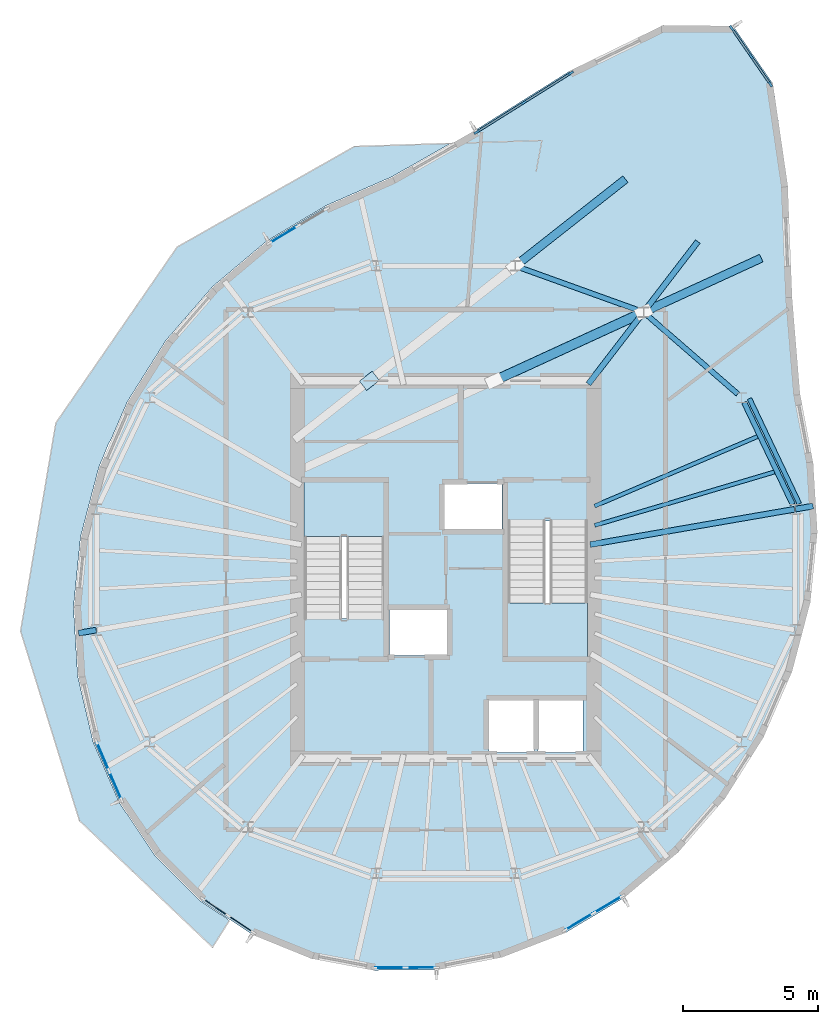
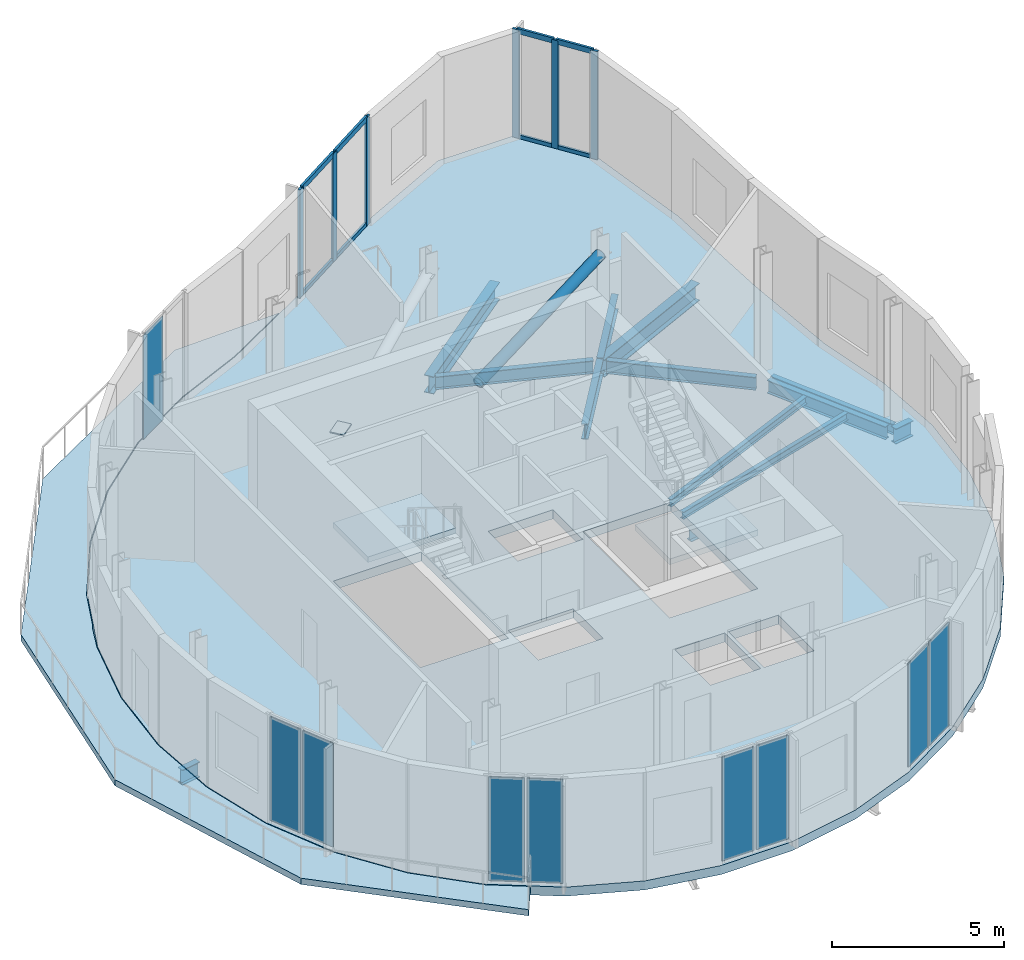
# One storey, part 3 of 8: 15 members, 13 beams, 10 plates, 4 slabs, 9 elements without a shape of their own.
"""IFC4 building model written with IfcOpenShell, lengths in metres."""

from ifc_helpers import new_model, si_unit, direction, frame, origin, origin_2d, place, context, subcontext, project, spatial, polyline, rectangle, hollow_circle, i_section, outline, extrude, material, layer, layer_set, material_profile, profile_set, type_object, element, aggregate, save


model = new_model("IFC4")

# Units and contexts
model_context = context("Model", 3, precision=1e-05, world=origin(), true_north=direction((0.0, 1.0)))
body_context = subcontext(model_context, "Body", "Model", "MODEL_VIEW")
ifc_project = project(units=[si_unit("LENGTHUNIT", "METRE"), si_unit("AREAUNIT", "SQUARE_METRE"), si_unit("VOLUMEUNIT", "CUBIC_METRE"), si_unit("PLANEANGLEUNIT", "RADIAN"), si_unit("MASSUNIT", "GRAM", prefix="KILO")], contexts=[model_context])

# Site, building, storey
site_placement = place(None, origin())
site = spatial("IfcSite", under=ifc_project, at=site_placement, CompositionType="ELEMENT")
building_placement = place(site_placement, origin())
building = spatial("IfcBuilding", under=site, at=building_placement, Name="Veldorim Arch Residences", CompositionType="ELEMENT")
storey_placement = place(building_placement, frame((0.0, 0.0, 246.8798828125)))
storey = spatial("IfcBuildingStorey", under=building, at=storey_placement, Name="L74", CompositionType="ELEMENT", Elevation=246.8798828125)

# Member
ifc_material_1 = material(Name="Steel S460", Category="steel")
ifc_material_profile_1 = material_profile(ifc_material_1, hollow_circle(Radius=0.177734375, WallThickness=0.02490234375, at=origin_2d()), Name="CHS355.6x25")
ifc_profile_set_1 = profile_set([ifc_material_profile_1], Name="Steel S460")
member_type_1 = type_object("IfcMemberType", Name="Crown Diagrid CHS355.6x25", PredefinedType="STRUT", material=ifc_profile_set_1)
member_1_placement = place(storey_placement, frame((33.79248046875, 31.0, 2.300048828125), z_axis=(0.895277609128, 0.411269137856, 0.171276673371), x_axis=(-0.417437626064, 0.908705578472, 0.0)))
element("IfcMember", 1, at=member_1_placement, inside=storey, type_object=member_type_1, Name="Observation prow truss 1 back-span brace L74", PredefinedType="STRUT", context=body_context, shape_type="SweptSolid", body=[
    extrude(hollow_circle(Radius=0.177734375, WallThickness=0.02490234375, at=origin_2d()), origin(), (0.0, 0.0, 1.0), 6.189208984375),
])

# Curtain wall, members
ifc_material_2 = material(Name="Aluminium", Category="aluminium")
curtain_wall_type = type_object("IfcCurtainWallType", Name="Sky Lounge & Conservatory Tall Curtain Wall", PredefinedType="NOTDEFINED", material=ifc_material_2)
curtain_wall_1_placement = place(storey_placement, origin())
curtain_wall_1 = element("IfcCurtainWall", 2, at=curtain_wall_1_placement, inside=storey, type_object=curtain_wall_type, Name="L74 unitised curtain wall bay 03", PredefinedType="NOTDEFINED")
ifc_material_3 = material(Name="Aluminium", Category="aluminium")
ifc_material_profile_2 = material_profile(ifc_material_3, rectangle(XDim=0.080078125, YDim=0.219970703125, at=origin_2d()), Name="ALU_MUL_80x220")
ifc_profile_set_2 = profile_set([ifc_material_profile_2], Name="Aluminium")
member_type_2 = type_object("IfcMemberType", Name="Sky Lounge & Conservatory Tall Curtain Wall Mullion 80x220", PredefinedType="MULLION", material=ifc_profile_set_2)
member_2_placement = place(storey_placement, frame((33.144775390625, 40.218994140625, 0.0), z_axis=(0.0, 0.0, 1.0), x_axis=(-0.531192855257, 0.847250937163, 0.0)))
member_2 = element("IfcMember", 3, at=member_2_placement, type_object=member_type_2, Name="CW-SKY mullion 1", PredefinedType="MULLION", context=body_context, shape_type="SweptSolid", body=[
    extrude(rectangle(XDim=0.080078125, YDim=0.219970703125, at=origin_2d()), origin(), (0.0, 0.0, 1.0), 3.840087890625),
])
member_3_placement = place(storey_placement, frame((34.889892578125, 41.31298828125, 0.0), z_axis=(0.0, 0.0, 1.0), x_axis=(-0.531192855257, 0.847250937163, 0.0)))
member_3 = element("IfcMember", 4, at=member_3_placement, type_object=member_type_2, Name="CW-SKY mullion 2", PredefinedType="MULLION", context=body_context, shape_type="SweptSolid", body=[
    extrude(rectangle(XDim=0.080078125, YDim=0.219970703125, at=origin_2d()), origin(), (0.0, 0.0, 1.0), 3.840087890625),
])
member_4_placement = place(storey_placement, frame((36.634765625, 42.4072265625, 0.0), z_axis=(0.0, 0.0, 1.0), x_axis=(-0.531192855257, 0.847250937163, 0.0)))
member_4 = element("IfcMember", 5, at=member_4_placement, type_object=member_type_2, Name="CW-SKY mullion 3", PredefinedType="MULLION", context=body_context, shape_type="SweptSolid", body=[
    extrude(rectangle(XDim=0.080078125, YDim=0.219970703125, at=origin_2d()), origin(), (0.0, 0.0, 1.0), 3.840087890625),
])

curtain_wall_2_placement = place(storey_placement, origin())
curtain_wall_2 = element("IfcCurtainWall", 6, at=curtain_wall_2_placement, inside=storey, type_object=curtain_wall_type, Name="L74 unitised curtain wall bay 36", PredefinedType="NOTDEFINED")
member_5_placement = place(storey_placement, frame((42.59619140625, 44.076904296875, 0.0), z_axis=(0.0, 0.0, 1.0), x_axis=(0.823312206967, 0.567588768264, 0.0)))
member_5 = element("IfcMember", 7, at=member_5_placement, type_object=member_type_2, Name="CW-SKY mullion 1", PredefinedType="MULLION", context=body_context, shape_type="SweptSolid", body=[
    extrude(rectangle(XDim=0.080078125, YDim=0.219970703125, at=origin_2d()), origin(), (0.0, 0.0, 1.0), 3.840087890625),
])
member_6_placement = place(storey_placement, frame((43.314208984375, 43.03564453125, 0.0), z_axis=(0.0, 0.0, 1.0), x_axis=(0.823312206967, 0.567588768264, 0.0)))
member_6 = element("IfcMember", 8, at=member_6_placement, type_object=member_type_2, Name="CW-SKY mullion 2", PredefinedType="MULLION", context=body_context, shape_type="SweptSolid", body=[
    extrude(rectangle(XDim=0.080078125, YDim=0.219970703125, at=origin_2d()), origin(), (0.0, 0.0, 1.0), 3.840087890625),
])
member_7_placement = place(storey_placement, frame((44.031982421875, 41.994384765625, 0.0), z_axis=(0.0, 0.0, 1.0), x_axis=(0.823312206967, 0.567588768264, 0.0)))
member_7 = element("IfcMember", 9, at=member_7_placement, type_object=member_type_2, Name="CW-SKY mullion 3", PredefinedType="MULLION", context=body_context, shape_type="SweptSolid", body=[
    extrude(rectangle(XDim=0.080078125, YDim=0.219970703125, at=origin_2d()), origin(), (0.0, 0.0, 1.0), 3.840087890625),
])

# Member
ifc_material_4 = material(Name="Aluminium", Category="aluminium")
ifc_material_profile_3 = material_profile(ifc_material_4, rectangle(XDim=0.080078125, YDim=0.18505859375, at=origin_2d()), Name="ALU_TRN_80x185")
ifc_profile_set_3 = profile_set([ifc_material_profile_3], Name="Aluminium")
member_type_3 = type_object("IfcMemberType", Name="Sky Lounge & Conservatory Tall Curtain Wall Transom 80x185", PredefinedType="USERDEFINED", material=ifc_profile_set_3)
member_8_placement = place(storey_placement, frame((33.1787109375, 40.240234375, 0.0400390625), z_axis=(0.847263064932, 0.531173511013, 0.0), x_axis=(-0.531173511013, 0.847263064932, 0.0)))
member_8 = element("IfcMember", 10, at=member_8_placement, type_object=member_type_3, Name="CW-SKY transom 1.1", ObjectType="TRANSOM", PredefinedType="USERDEFINED", context=body_context, shape_type="SweptSolid", body=[
    extrude(rectangle(XDim=0.080078125, YDim=0.18505859375, at=origin_2d()), origin(), (0.0, 0.0, 1.0), 1.9794921875),
])

member_9_placement = place(storey_placement, frame((33.1787109375, 40.240234375, 3.800048828125), z_axis=(0.847263064932, 0.531173511013, 0.0), x_axis=(-0.531173511013, 0.847263064932, 0.0)))
member_9 = element("IfcMember", 11, at=member_9_placement, type_object=member_type_3, Name="CW-SKY transom 1.2", ObjectType="TRANSOM", PredefinedType="USERDEFINED", context=body_context, shape_type="SweptSolid", body=[
    extrude(rectangle(XDim=0.080078125, YDim=0.18505859375, at=origin_2d()), origin(), (0.0, 0.0, 1.0), 1.9794921875),
])

member_10_placement = place(storey_placement, frame((34.923583984375, 41.334228515625, 0.0400390625), z_axis=(0.847207560973, 0.531262033868, 0.0), x_axis=(-0.531262033868, 0.847207560973, 0.0)))
member_10 = element("IfcMember", 12, at=member_10_placement, type_object=member_type_3, Name="CW-SKY transom 2.1", ObjectType="TRANSOM", PredefinedType="USERDEFINED", context=body_context, shape_type="SweptSolid", body=[
    extrude(rectangle(XDim=0.080078125, YDim=0.18505859375, at=origin_2d()), origin(), (0.0, 0.0, 1.0), 1.979736328125),
])

member_11_placement = place(storey_placement, frame((34.923583984375, 41.334228515625, 3.800048828125), z_axis=(0.847207560973, 0.531262033868, 0.0), x_axis=(-0.531262033868, 0.847207560973, 0.0)))
member_11 = element("IfcMember", 13, at=member_11_placement, type_object=member_type_3, Name="CW-SKY transom 2.2", ObjectType="TRANSOM", PredefinedType="USERDEFINED", context=body_context, shape_type="SweptSolid", body=[
    extrude(rectangle(XDim=0.080078125, YDim=0.18505859375, at=origin_2d()), origin(), (0.0, 0.0, 1.0), 1.979736328125),
])

aggregate(curtain_wall_1, [member_2, member_3, member_4, member_8, member_9, member_10, member_11])

member_12_placement = place(storey_placement, frame((42.618896484375, 44.0439453125, 0.0400390625), z_axis=(0.567708878676, -0.823229390312, 0.0), x_axis=(0.823229390312, 0.567708878676, 0.0)))
member_12 = element("IfcMember", 14, at=member_12_placement, type_object=member_type_3, Name="CW-SKY transom 1.1", ObjectType="TRANSOM", PredefinedType="USERDEFINED", context=body_context, shape_type="SweptSolid", body=[
    extrude(rectangle(XDim=0.080078125, YDim=0.18505859375, at=origin_2d()), origin(), (0.0, 0.0, 1.0), 1.184814453125),
])

member_13_placement = place(storey_placement, frame((42.618896484375, 44.0439453125, 3.800048828125), z_axis=(0.567708878676, -0.823229390312, 0.0), x_axis=(0.823229390312, 0.567708878676, 0.0)))
member_13 = element("IfcMember", 15, at=member_13_placement, type_object=member_type_3, Name="CW-SKY transom 1.2", ObjectType="TRANSOM", PredefinedType="USERDEFINED", context=body_context, shape_type="SweptSolid", body=[
    extrude(rectangle(XDim=0.080078125, YDim=0.18505859375, at=origin_2d()), origin(), (0.0, 0.0, 1.0), 1.184814453125),
])

member_14_placement = place(storey_placement, frame((43.3369140625, 43.002685546875, 0.0400390625), z_axis=(0.5675692026, -0.823325695129, 0.0), x_axis=(0.823325695129, 0.5675692026, 0.0)))
member_14 = element("IfcMember", 16, at=member_14_placement, type_object=member_type_3, Name="CW-SKY transom 2.1", ObjectType="TRANSOM", PredefinedType="USERDEFINED", context=body_context, shape_type="SweptSolid", body=[
    extrude(rectangle(XDim=0.080078125, YDim=0.18505859375, at=origin_2d()), origin(), (0.0, 0.0, 1.0), 1.1845703125),
])

member_15_placement = place(storey_placement, frame((43.3369140625, 43.002685546875, 3.800048828125), z_axis=(0.5675692026, -0.823325695129, 0.0), x_axis=(0.823325695129, 0.5675692026, 0.0)))
member_15 = element("IfcMember", 17, at=member_15_placement, type_object=member_type_3, Name="CW-SKY transom 2.2", ObjectType="TRANSOM", PredefinedType="USERDEFINED", context=body_context, shape_type="SweptSolid", body=[
    extrude(rectangle(XDim=0.080078125, YDim=0.18505859375, at=origin_2d()), origin(), (0.0, 0.0, 1.0), 1.1845703125),
])

aggregate(curtain_wall_2, [member_5, member_6, member_7, member_12, member_13, member_14, member_15])

# Beams
ifc_material_5 = material(Name="Steel S355", Category="steel")
ifc_material_profile_4 = material_profile(ifc_material_5, i_section(OverallWidth=0.2119140625, OverallDepth=0.54443359375, WebThickness=0.0126953125, FlangeThickness=0.021240234375, at=origin_2d()), Name="UB533x210x122")
ifc_profile_set_4 = profile_set([ifc_material_profile_4], Name="Steel S355")
beam_type_1 = type_object("IfcBeamType", Name="Structural Steel Beam UB533x210x122", PredefinedType="BEAM", material=ifc_profile_set_4)
beam_1_placement = place(storey_placement, frame((37.352294921875, 24.92578125, -0.59228515625), z_axis=(0.985364974081, 0.170457818401, 0.0), x_axis=(-0.170457818401, 0.985364974081, 0.0)))
element("IfcBeam", 18, at=beam_1_placement, inside=storey, type_object=beam_type_1, Name="L74 radial floor girder 01", PredefinedType="BEAM", context=body_context, shape_type="SweptSolid", body=[
    extrude(i_section(OverallWidth=0.2119140625, OverallDepth=0.54443359375, WebThickness=0.0126953125, FlangeThickness=0.021240234375, at=origin_2d()), origin(), (0.0, 0.0, 1.0), 7.68701171875),
])
beam_2_placement = place(storey_placement, frame((44.966064453125, 26.242919921875, -0.59228515625), z_axis=(0.985338595383, 0.170610235476, 0.0), x_axis=(-0.170610235476, 0.985338595383, 0.0)))
element("IfcBeam", 19, at=beam_2_placement, inside=storey, type_object=beam_type_1, Name="L74 radial edge cantilever girder 01", PredefinedType="BEAM", context=body_context, shape_type="SweptSolid", body=[
    extrude(i_section(OverallWidth=0.2119140625, OverallDepth=0.54443359375, WebThickness=0.0126953125, FlangeThickness=0.021240234375, at=origin_2d()), origin(), (0.0, 0.0, 1.0), 0.66259765625),
])
beam_3_placement = place(storey_placement, frame((37.28662109375, 30.881103515625, -0.59228515625), z_axis=(0.609258442308, 0.792971721108, 0.0), x_axis=(-0.792971721108, 0.609258442308, 0.0)))
element("IfcBeam", 20, at=beam_3_placement, inside=storey, type_object=beam_type_1, Name="L74 radial floor girder 03", PredefinedType="BEAM", context=body_context, shape_type="SweptSolid", body=[
    extrude(i_section(OverallWidth=0.2119140625, OverallDepth=0.54443359375, WebThickness=0.0126953125, FlangeThickness=0.021240234375, at=origin_2d()), origin(), (0.0, 0.0, 1.0), 3.339599609375),
])
beam_4_placement = place(storey_placement, frame((39.345703125, 33.561279296875, -0.59228515625), z_axis=(0.609261001157, 0.792969755079, 0.0), x_axis=(-0.792969755079, 0.609261001157, 0.0)))
element("IfcBeam", 21, at=beam_4_placement, inside=storey, type_object=beam_type_1, Name="L74 radial edge cantilever girder 03", PredefinedType="BEAM", context=body_context, shape_type="SweptSolid", body=[
    extrude(i_section(OverallWidth=0.2119140625, OverallDepth=0.54443359375, WebThickness=0.0126953125, FlangeThickness=0.021240234375, at=origin_2d()), origin(), (0.0, 0.0, 1.0), 3.27978515625),
])
beam_5_placement = place(storey_placement, frame((19.033935546875, 21.757080078125, -0.59228515625), z_axis=(-0.985338595383, -0.170610235476, 0.0), x_axis=(0.170610235476, -0.985338595383, 0.0)))
element("IfcBeam", 22, at=beam_5_placement, inside=storey, type_object=beam_type_1, Name="L74 radial edge cantilever girder 09", PredefinedType="BEAM", context=body_context, shape_type="SweptSolid", body=[
    extrude(i_section(OverallWidth=0.2119140625, OverallDepth=0.54443359375, WebThickness=0.0126953125, FlangeThickness=0.021240234375, at=origin_2d()), origin(), (0.0, 0.0, 1.0), 0.66259765625),
])
ifc_material_6 = material(Name="Steel S355", Category="steel")
ifc_material_profile_5 = material_profile(ifc_material_6, i_section(OverallWidth=0.30712890625, OverallDepth=0.6201171875, WebThickness=0.01416015625, FlangeThickness=0.023681640625, at=origin_2d()), Name="UB610x305x179")
ifc_profile_set_5 = profile_set([ifc_material_profile_5], Name="Steel S355")
beam_type_2 = type_object("IfcBeamType", Name="Structural Steel Beam UB610x305x179", PredefinedType="BEAM", material=ifc_profile_set_5)
beam_6_placement = place(storey_placement, frame((39.351806640625, 33.5537109375, -0.639892578125), z_axis=(0.908700932786, 0.41744773895, 0.0), x_axis=(-0.41744773895, 0.908700932786, 0.0)))
element("IfcBeam", 23, at=beam_6_placement, inside=storey, type_object=beam_type_2, Name="Observation prow cantilever girder 1 L74", PredefinedType="BEAM", context=body_context, shape_type="SweptSolid", body=[
    extrude(i_section(OverallWidth=0.30712890625, OverallDepth=0.6201171875, WebThickness=0.01416015625, FlangeThickness=0.023681640625, at=origin_2d()), origin(), (0.0, 0.0, 1.0), 4.77978515625),
])
beam_7_placement = place(storey_placement, frame((34.5908203125, 35.271728515625, -0.639892578125), z_axis=(0.785632591973, 0.618693325024, 0.0), x_axis=(-0.618693325024, 0.785632591973, 0.0)))
element("IfcBeam", 24, at=beam_7_placement, inside=storey, type_object=beam_type_2, Name="Observation prow cantilever girder 2 L74", PredefinedType="BEAM", context=body_context, shape_type="SweptSolid", body=[
    extrude(i_section(OverallWidth=0.30712890625, OverallDepth=0.6201171875, WebThickness=0.01416015625, FlangeThickness=0.023681640625, at=origin_2d()), origin(), (0.0, 0.0, 1.0), 5.179931640625),
])
ifc_material_7 = material(Name="Steel S355", Category="steel")
ifc_material_profile_6 = material_profile(ifc_material_7, i_section(OverallWidth=0.146484375, OverallDepth=0.256103515625, WebThickness=0.00634765625, FlangeThickness=0.010986328125, at=origin_2d()), Name="UB254x146x37")
ifc_profile_set_6 = profile_set([ifc_material_profile_6], Name="Steel S355")
beam_type_3 = type_object("IfcBeamType", Name="Structural Steel Joist UB254x146x37", PredefinedType="JOIST", material=ifc_profile_set_6)
beam_8_placement = place(storey_placement, frame((37.519287109375, 25.639404296875, -0.447998046875), z_axis=(0.958594432792, 0.284774846889, 0.0), x_axis=(-0.284774846889, 0.958594432792, 0.0)))
element("IfcBeam", 25, at=beam_8_placement, inside=storey, type_object=beam_type_3, Name="L74 secondary radial floor joist 01-1", PredefinedType="JOIST", context=body_context, shape_type="SweptSolid", body=[
    extrude(i_section(OverallWidth=0.146484375, OverallDepth=0.256103515625, WebThickness=0.00634765625, FlangeThickness=0.010986328125, at=origin_2d()), origin(), (0.0, 0.0, 1.0), 6.949462890625),
])
beam_9_placement = place(storey_placement, frame((37.518310546875, 26.355712890625, -0.447998046875), z_axis=(0.919725161652, 0.392562895629, 0.0), x_axis=(-0.392562895629, 0.919725161652, 0.0)))
element("IfcBeam", 26, at=beam_9_placement, inside=storey, type_object=beam_type_3, Name="L74 secondary radial floor joist 01-2", PredefinedType="JOIST", context=body_context, shape_type="SweptSolid", body=[
    extrude(i_section(OverallWidth=0.146484375, OverallDepth=0.256103515625, WebThickness=0.00634765625, FlangeThickness=0.010986328125, at=origin_2d()), origin(), (0.0, 0.0, 1.0), 6.5625),
])
ifc_material_8 = material(Name="Steel S355", Category="steel")
ifc_material_profile_7 = material_profile(ifc_material_8, i_section(OverallWidth=0.172119140625, OverallDepth=0.35791015625, WebThickness=0.008056640625, FlangeThickness=0.012939453125, at=origin_2d()), Name="UB356x171x57")
ifc_profile_set_7 = profile_set([ifc_material_profile_7], Name="Steel S355")
beam_type_4 = type_object("IfcBeamType", Name="Structural Steel Spandrel UB356x171x57", PredefinedType="SPANDREL", material=ifc_profile_set_7)
beam_10_placement = place(storey_placement, frame((45.107666015625, 26.439208984375, -0.518798828125), z_axis=(-0.428453398876, 0.903563879862, 0.0), x_axis=(-0.903563879862, -0.428453398876, 0.0)))
element("IfcBeam", 27, at=beam_10_placement, inside=storey, type_object=beam_type_4, Name="L74 perimeter chord spandrel beam 01", PredefinedType="SPANDREL", context=body_context, shape_type="SweptSolid", body=[
    extrude(i_section(OverallWidth=0.172119140625, OverallDepth=0.35791015625, WebThickness=0.008056640625, FlangeThickness=0.012939453125, at=origin_2d()), origin(), (0.0, 0.0, 1.0), 4.31689453125),
])
ifc_material_9 = material(Name="Steel S355", Category="steel")
ifc_material_profile_8 = material_profile(ifc_material_9, i_section(OverallWidth=0.19140625, OverallDepth=0.4599609375, WebThickness=0.010009765625, FlangeThickness=0.01611328125, at=origin_2d()), Name="UB457x191x82")
ifc_profile_set_8 = profile_set([ifc_material_profile_8], Name="Steel S355")
beam_type_5 = type_object("IfcBeamType", Name="Structural Steel Spandrel UB457x191x82", PredefinedType="SPANDREL", material=ifc_profile_set_8)
beam_11_placement = place(storey_placement, frame((44.860595703125, 26.419677734375, -0.5498046875), z_axis=(-0.42997887291, 0.902838949564, 0.0), x_axis=(-0.902838949564, -0.42997887291, 0.0)))
element("IfcBeam", 28, at=beam_11_placement, inside=storey, type_object=beam_type_5, Name="L74 perimeter ring tie beam 01", PredefinedType="SPANDREL", context=body_context, shape_type="SweptSolid", body=[
    extrude(i_section(OverallWidth=0.19140625, OverallDepth=0.4599609375, WebThickness=0.010009765625, FlangeThickness=0.01611328125, at=origin_2d()), origin(), (0.0, 0.0, 1.0), 4.1845703125),
])
beam_12_placement = place(storey_placement, frame((42.824951171875, 30.5087890625, -0.5498046875), z_axis=(-0.754578219063, 0.656210112171, 0.0), x_axis=(-0.656210112171, -0.754578219063, 0.0)))
element("IfcBeam", 29, at=beam_12_placement, inside=storey, type_object=beam_type_5, Name="L74 perimeter ring tie beam 02", PredefinedType="SPANDREL", context=body_context, shape_type="SweptSolid", body=[
    extrude(i_section(OverallWidth=0.19140625, OverallDepth=0.4599609375, WebThickness=0.010009765625, FlangeThickness=0.01611328125, at=origin_2d()), origin(), (0.0, 0.0, 1.0), 4.427734375),
])
beam_13_placement = place(storey_placement, frame((39.145751953125, 33.61279296875, -0.5498046875), z_axis=(-0.940799194754, 0.338964415757, 0.0), x_axis=(-0.338964415757, -0.940799194754, 0.0)))
element("IfcBeam", 30, at=beam_13_placement, inside=storey, type_object=beam_type_5, Name="L74 perimeter ring tie beam 03", PredefinedType="SPANDREL", context=body_context, shape_type="SweptSolid", body=[
    extrude(i_section(OverallWidth=0.19140625, OverallDepth=0.4599609375, WebThickness=0.010009765625, FlangeThickness=0.01611328125, at=origin_2d()), origin(), (0.0, 0.0, 1.0), 4.65869140625),
])

# Slabs
ifc_material_10 = material(Name="Concrete C40/50", Category="concrete")
ifc_layer_1 = layer(ifc_material_10, 0.320068359375, Name="Observation Cantilever Deck Slab 320")
ifc_layer_set_1 = layer_set([ifc_layer_1], Name="Concrete C40/50")
slab_type_1 = type_object("IfcSlabType", Name="Observation Cantilever Deck Slab 320", PredefinedType="FLOOR", material=ifc_layer_set_1)
slab_1_placement = place(storey_placement, frame((0.0, 0.0, -0.31982421875)))
element("IfcSlab", 31, at=slab_1_placement, inside=storey, type_object=slab_type_1, Name="L74 tower structural floor slab", PredefinedType="FLOOR", context=body_context, shape_type="SweptSolid", body=[
    extrude(outline(polyline([(42.647705078125, 44.160888671875), (40.0380859375, 44.1728515625), (36.620849609375, 42.504638671875), (33.06298828125, 40.274169921875), (29.990478515625, 38.52880859375), (27.576171875, 37.472900390625), (25.376953125, 36.160400390625), (23.37890625, 34.478515625), (21.64306640625, 32.478515625), (20.2216796875, 30.220458984375), (19.158203125, 27.773681640625), (18.485107421875, 25.212158203125), (18.222412109375, 22.61376953125), (18.37841796875, 20.0576171875), (18.948486328125, 17.62109375), (19.914794921875, 15.37841796875), (21.24853515625, 13.397705078125), (22.908935546875, 11.7392578125), (24.845458984375, 10.453125), (26.99951171875, 9.578857421875), (29.305419921875, 9.142578125), (31.693115234375, 9.157958984375), (34.09033203125, 9.6240234375), (36.423828125, 10.527099609375), (38.623046875, 11.839599609375), (40.62109375, 13.521484375), (42.35693359375, 15.521484375), (43.7783203125, 17.779541015625), (44.841796875, 20.226318359375), (45.514892578125, 22.787841796875), (45.777587890625, 25.38623046875), (45.62158203125, 27.9423828125), (45.13232421875, 30.53173828125), (44.84130859375, 34.0537109375), (44.677734375, 38.24951171875), (44.12890625, 42.0126953125), (42.647705078125, 44.160888671875)]), holes=[polyline([(35.2900390625, 17.2099609375), (33.610107421875, 17.2099609375), (33.610107421875, 19.2900390625), (35.2900390625, 19.2900390625), (35.2900390625, 17.2099609375)]), polyline([(35.409912109375, 17.2099609375), (35.409912109375, 19.2900390625), (37.090087890625, 19.2900390625), (37.090087890625, 17.2099609375), (35.409912109375, 17.2099609375)]), polyline([(29.909912109375, 20.81494140625), (29.909912109375, 22.544921875), (32.090087890625, 22.544921875), (32.090087890625, 20.81494140625), (29.909912109375, 20.81494140625)]), polyline([(37.25, 20.75), (34.2900390625, 20.75), (34.2900390625, 25.804931640625), (37.25, 25.804931640625), (37.25, 20.75)]), polyline([(26.75, 22.195068359375), (26.75, 27.25), (29.7099609375, 27.25), (29.7099609375, 22.195068359375), (26.75, 22.195068359375)]), polyline([(31.909912109375, 25.455078125), (31.909912109375, 27.18505859375), (34.090087890625, 27.18505859375), (34.090087890625, 25.455078125), (31.909912109375, 25.455078125)])]), origin(), (0.0, 0.0, 1.0), 0.31982421875),
])
ifc_material_11 = material(Name="Concrete C40/50", Category="concrete")
ifc_layer_2 = layer(ifc_material_11, 0.219970703125, Name="Planted Crescent Cantilever Balcony Slab 220")
ifc_layer_set_2 = layer_set([ifc_layer_2], Name="Concrete C40/50")
slab_type_2 = type_object("IfcSlabType", Name="Planted Crescent Cantilever Balcony Slab 220", PredefinedType="FLOOR", material=ifc_layer_set_2)
slab_2_placement = place(storey_placement, frame((0.0, 0.0, -0.219970703125)))
element("IfcSlab", 32, at=slab_2_placement, inside=storey, type_object=slab_type_2, Name="L74 planted crescent balcony slab A", PredefinedType="FLOOR", context=body_context, shape_type="SweptSolid", body=[
    extrude(outline(polyline([(19.497314453125, 28.671142578125), (19.134521484375, 27.78173828125), (18.46044921875, 25.216552734375), (18.197509765625, 22.6142578125), (18.353759765625, 20.053955078125), (18.924560546875, 17.613037109375), (19.892822265625, 15.366455078125), (21.229248046875, 13.381591796875), (22.89306640625, 11.7197265625), (23.875, 11.067626953125), (23.962890625, 10.970458984375), (23.349365234375, 9.997802734375), (18.416748046875, 14.69140625), (16.234619140625, 21.71728515625), (17.542724609375, 29.438720703125), (22.0380859375, 35.958251953125), (28.610107421875, 39.685302734375), (32.1796875, 39.801025390625), (29.979248046875, 38.551025390625), (27.564697265625, 37.4951171875), (25.3623046875, 36.180908203125), (23.361328125, 34.49658203125), (21.622802734375, 32.493408203125), (20.199462890625, 30.232177734375), (19.565185546875, 28.772705078125), (19.497314453125, 28.671142578125)])), origin(), (0.0, 0.0, 1.0), 0.219970703125),
])

# Stair, slab
ifc_material_12 = material(Name="Concrete C40/50", Category="concrete")
stair_type = type_object("IfcStairType", Name="Reinforced Concrete Dogleg Exit Staircase", PredefinedType="HALF_TURN_STAIR", material=ifc_material_12)
stair_1_placement = place(storey_placement, origin())
stair_1 = element("IfcStair", 33, at=stair_1_placement, inside=storey, type_object=stair_type, Name="L74 Exit Staircase ST-1", PredefinedType="HALF_TURN_STAIR")
ifc_material_13 = material(Name="Concrete C40/50", Category="concrete")
ifc_layer_3 = layer(ifc_material_13, 0.199951171875, Name="Reinforced Concrete Stair Landing 200")
ifc_layer_set_3 = layer_set([ifc_layer_3], Name="Concrete C40/50")
slab_type_3 = type_object("IfcSlabType", Name="Reinforced Concrete Stair Landing 200", PredefinedType="LANDING", material=ifc_layer_set_3)
slab_3_placement = place(storey_placement, frame((0.0, 0.0, 1.880126953125)))
slab_3 = element("IfcSlab", 34, at=slab_3_placement, type_object=slab_type_3, Name="ST-1 landing 1", PredefinedType="LANDING", context=body_context, shape_type="SweptSolid", body=[
    extrude(outline(polyline([(29.7099609375, 25.22998046875), (29.7099609375, 27.25), (26.75, 27.25), (26.75, 25.22998046875), (29.7099609375, 25.22998046875)])), origin(), (0.0, 0.0, 1.0), 0.199951171875),
])
aggregate(stair_1, [slab_3])

stair_2_placement = place(storey_placement, origin())
stair_2 = element("IfcStair", 35, at=stair_2_placement, inside=storey, type_object=stair_type, Name="L74 Exit Staircase ST-2", PredefinedType="HALF_TURN_STAIR")
slab_4_placement = place(storey_placement, frame((0.0, 0.0, 1.880126953125)))
slab_4 = element("IfcSlab", 36, at=slab_4_placement, type_object=slab_type_3, Name="ST-2 landing 1", PredefinedType="LANDING", context=body_context, shape_type="SweptSolid", body=[
    extrude(outline(polyline([(34.2900390625, 22.77001953125), (34.2900390625, 20.75), (37.25, 20.75), (37.25, 22.77001953125), (34.2900390625, 22.77001953125)])), origin(), (0.0, 0.0, 1.0), 0.199951171875),
])
aggregate(stair_2, [slab_4])

# Curtain wall, plate
curtain_wall_3_placement = place(storey_placement, origin())
curtain_wall_3 = element("IfcCurtainWall", 37, at=curtain_wall_3_placement, inside=storey, type_object=curtain_wall_type, Name="L74 unitised curtain wall bay 06", PredefinedType="NOTDEFINED")
ifc_material_14 = material(Name="Laminated Low-E Glass", Category="glass")
ifc_layer_4 = layer(ifc_material_14, 0.031982421875, Name="Sky Lounge & Conservatory Tall Curtain Wall Glazing Panel 32")
ifc_layer_set_4 = layer_set([ifc_layer_4], Name="Laminated Low-E Glass")
plate_type_1 = type_object("IfcPlateType", Name="Sky Lounge & Conservatory Tall Curtain Wall Glazing Panel 32", PredefinedType="CURTAIN_PANEL", material=ifc_layer_set_4)
plate_1_placement = place(storey_placement, frame((25.989990234375, 36.421630859375, 0.080078125), z_axis=(0.0, 0.0, 1.0), x_axis=(0.858706763256, 0.512467262114, 0.0)))
plate_1 = element("IfcPlate", 38, at=plate_1_placement, type_object=plate_type_1, Name="CW-SKY panel 1.1", PredefinedType="CURTAIN_PANEL", context=body_context, shape_type="SweptSolid", body=[
    extrude(rectangle(XDim=1.160400390625, YDim=0.031982421875, at=origin_2d()), origin(), (0.0, 0.0, 1.0), 3.679931640625),
])
aggregate(curtain_wall_3, [plate_1])

# Curtain wall, plates
curtain_wall_4_placement = place(storey_placement, origin())
curtain_wall_4 = element("IfcCurtainWall", 39, at=curtain_wall_4_placement, inside=storey, type_object=curtain_wall_type, Name="L74 unitised curtain wall bay 15", PredefinedType="NOTDEFINED")
plate_2_placement = place(storey_placement, frame((19.748046875, 15.992919921875, 0.080078125), z_axis=(0.0, 0.0, 1.0), x_axis=(-0.395781714055, 0.91834461659, 0.0)))
plate_2 = element("IfcPlate", 40, at=plate_2_placement, type_object=plate_type_1, Name="CW-SKY panel 1.1", PredefinedType="CURTAIN_PANEL", context=body_context, shape_type="SweptSolid", body=[
    extrude(rectangle(XDim=1.10107421875, YDim=0.031982421875, at=origin_2d()), origin(), (0.0, 0.0, 1.0), 3.679931640625),
])
plate_3_placement = place(storey_placement, frame((19.28076171875, 17.07763671875, 0.080078125), z_axis=(0.0, 0.0, 1.0), x_axis=(-0.395781714055, 0.91834461659, 0.0)))
plate_3 = element("IfcPlate", 41, at=plate_3_placement, type_object=plate_type_1, Name="CW-SKY panel 2.1", PredefinedType="CURTAIN_PANEL", context=body_context, shape_type="SweptSolid", body=[
    extrude(rectangle(XDim=1.10107421875, YDim=0.031982421875, at=origin_2d()), origin(), (0.0, 0.0, 1.0), 3.679931640625),
])
aggregate(curtain_wall_4, [plate_2, plate_3])

curtain_wall_5_placement = place(storey_placement, origin())
curtain_wall_5 = element("IfcCurtainWall", 42, at=curtain_wall_5_placement, inside=storey, type_object=curtain_wall_type, Name="L74 unitised curtain wall bay 18", PredefinedType="NOTDEFINED")
plate_4_placement = place(storey_placement, frame((24.39453125, 10.86083984375, 0.080078125), z_axis=(0.0, 0.0, 1.0), x_axis=(-0.833054847254, 0.553190402544, 0.0)))
plate_4 = element("IfcPlate", 43, at=plate_4_placement, type_object=plate_type_1, Name="CW-SKY panel 1.1", PredefinedType="CURTAIN_PANEL", context=body_context, shape_type="SweptSolid", body=[
    extrude(rectangle(XDim=1.042236328125, YDim=0.031982421875, at=origin_2d()), origin(), (0.0, 0.0, 1.0), 3.679931640625),
])
plate_5_placement = place(storey_placement, frame((23.45947265625, 11.481689453125, 0.080078125), z_axis=(0.0, 0.0, 1.0), x_axis=(-0.833054847254, 0.553190402544, 0.0)))
plate_5 = element("IfcPlate", 44, at=plate_5_placement, type_object=plate_type_1, Name="CW-SKY panel 2.1", PredefinedType="CURTAIN_PANEL", context=body_context, shape_type="SweptSolid", body=[
    extrude(rectangle(XDim=1.042236328125, YDim=0.031982421875, at=origin_2d()), origin(), (0.0, 0.0, 1.0), 3.679931640625),
])
aggregate(curtain_wall_5, [plate_4, plate_5])

curtain_wall_6_placement = place(storey_placement, origin())
curtain_wall_6 = element("IfcCurtainWall", 45, at=curtain_wall_6_placement, inside=storey, type_object=curtain_wall_type, Name="L74 unitised curtain wall bay 21", PredefinedType="NOTDEFINED")
plate_6_placement = place(storey_placement, frame((31.07568359375, 9.243896484375, 0.080078125), z_axis=(0.0, 0.0, 1.0), x_axis=(-0.999979472144, -0.006407440287, 0.0)))
plate_6 = element("IfcPlate", 46, at=plate_6_placement, type_object=plate_type_1, Name="CW-SKY panel 1.1", PredefinedType="CURTAIN_PANEL", context=body_context, shape_type="SweptSolid", body=[
    extrude(rectangle(XDim=1.073974609375, YDim=0.031982421875, at=origin_2d()), origin(), (0.0, 0.0, 1.0), 3.679931640625),
])
plate_7_placement = place(storey_placement, frame((29.921630859375, 9.236572265625, 0.080078125), z_axis=(0.0, 0.0, 1.0), x_axis=(-0.999979472144, -0.006407440287, 0.0)))
plate_7 = element("IfcPlate", 47, at=plate_7_placement, type_object=plate_type_1, Name="CW-SKY panel 2.1", PredefinedType="CURTAIN_PANEL", context=body_context, shape_type="SweptSolid", body=[
    extrude(rectangle(XDim=1.073974609375, YDim=0.031982421875, at=origin_2d()), origin(), (0.0, 0.0, 1.0), 3.679931640625),
])
aggregate(curtain_wall_6, [plate_6, plate_7])

curtain_wall_7_placement = place(storey_placement, origin())
curtain_wall_7 = element("IfcCurtainWall", 48, at=curtain_wall_7_placement, inside=storey, type_object=curtain_wall_type, Name="L74 unitised curtain wall bay 24", PredefinedType="NOTDEFINED")
plate_8_placement = place(storey_placement, frame((38.010009765625, 11.578369140625, 0.080078125), z_axis=(0.0, 0.0, 1.0), x_axis=(-0.858706763256, -0.512467262114, 0.0)))
plate_8 = element("IfcPlate", 49, at=plate_8_placement, type_object=plate_type_1, Name="CW-SKY panel 1.1", PredefinedType="CURTAIN_PANEL", context=body_context, shape_type="SweptSolid", body=[
    extrude(rectangle(XDim=1.160400390625, YDim=0.031982421875, at=origin_2d()), origin(), (0.0, 0.0, 1.0), 3.679931640625),
])
plate_9_placement = place(storey_placement, frame((36.94482421875, 10.94287109375, 0.080078125), z_axis=(0.0, 0.0, 1.0), x_axis=(-0.858706763256, -0.512467262114, 0.0)))
plate_9 = element("IfcPlate", 50, at=plate_9_placement, type_object=plate_type_1, Name="CW-SKY panel 2.1", PredefinedType="CURTAIN_PANEL", context=body_context, shape_type="SweptSolid", body=[
    extrude(rectangle(XDim=1.160400390625, YDim=0.031982421875, at=origin_2d()), origin(), (0.0, 0.0, 1.0), 3.679931640625),
])
aggregate(curtain_wall_7, [plate_8, plate_9])

# Plate
ifc_material_15 = material(Name="Steel S355", Category="steel")
ifc_layer_5 = layer(ifc_material_15, 0.035888671875, Name="Welded Hollow-Section End-Cap & Gusset Plate 36")
ifc_layer_set_5 = layer_set([ifc_layer_5], Name="Steel S355")
plate_type_2 = type_object("IfcPlateType", Name="Welded Hollow-Section End-Cap & Gusset Plate 36", PredefinedType="USERDEFINED", material=ifc_layer_set_5)
plate_10_placement = place(storey_placement, frame((29.16650390625, 31.0, 2.2822265625), z_axis=(0.0, 0.0, 1.0), x_axis=(0.785630181881, 0.618696385409, 0.0)))
element("IfcPlate", 51, at=plate_10_placement, inside=storey, type_object=plate_type_2, Name="Observation prow truss 2 back-span brace L74 welded joint gusset plate 1", ObjectType="GUSSET PLATE", PredefinedType="USERDEFINED", context=body_context, shape_type="SweptSolid", body=[
    extrude(rectangle(XDim=0.60205078125, YDim=0.43603515625, at=origin_2d()), origin(), (0.0, 0.0, 1.0), 0.035888671875),
])

save(model, "model.ifc")
